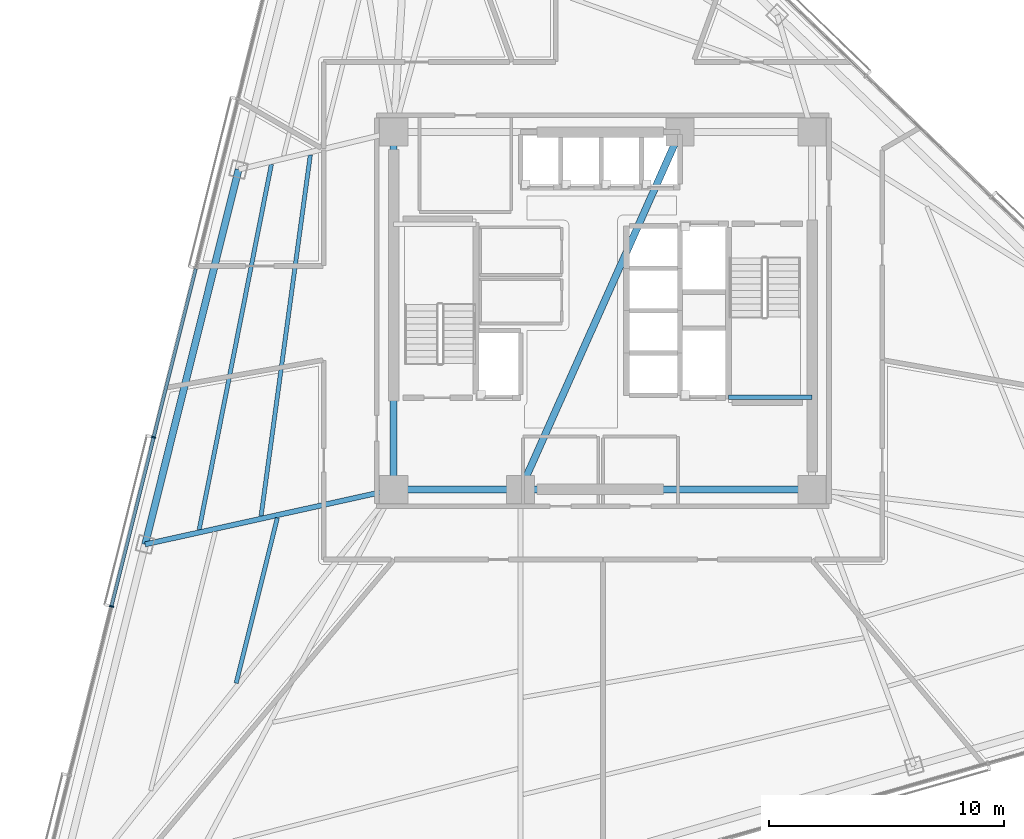
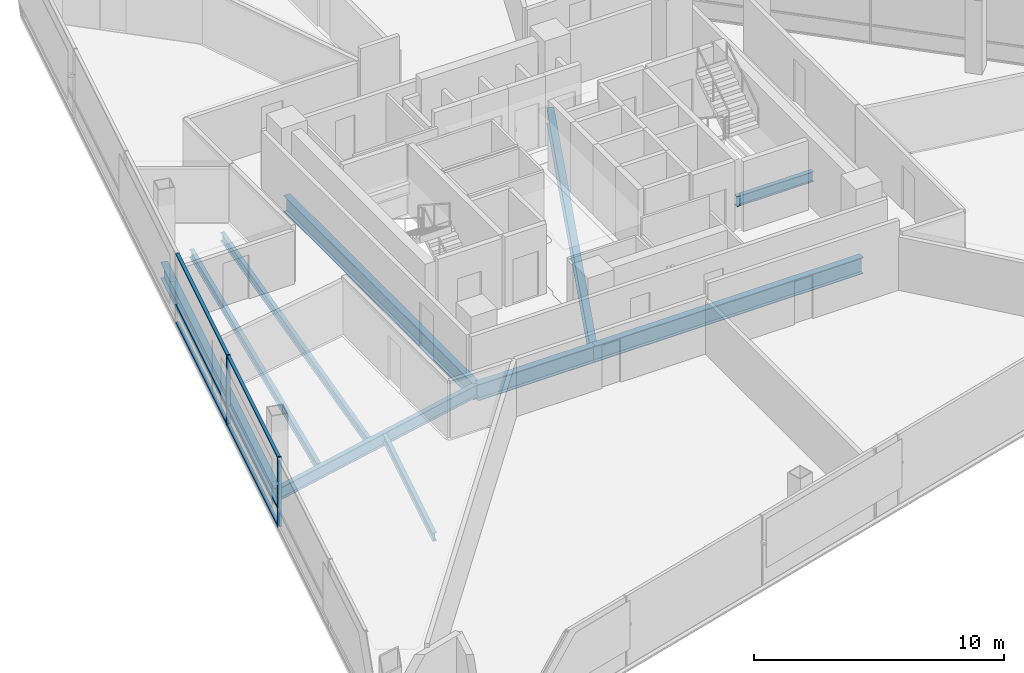
# One storey, part 4 of 19: 10 beams, 8 members, 1 element without a shape of its own.
"""IFC4 building model written with IfcOpenShell, lengths in metres."""

from ifc_helpers import new_model, si_unit, direction, frame, origin, origin_2d, place, context, subcontext, project, spatial, rectangle, i_section, extrude, material, layer, layer_set, material_profile, profile_set, type_object, element, aggregate, save


model = new_model("IFC4")

# Units and contexts
model_context = context("Model", 3, precision=1e-05, world=origin(), true_north=direction((0.0, 1.0)))
body_context = subcontext(model_context, "Body", "Model", "MODEL_VIEW")
ifc_project = project(units=[si_unit("LENGTHUNIT", "METRE"), si_unit("AREAUNIT", "SQUARE_METRE"), si_unit("VOLUMEUNIT", "CUBIC_METRE"), si_unit("PLANEANGLEUNIT", "RADIAN"), si_unit("MASSUNIT", "GRAM", prefix="KILO")], contexts=[model_context])

# Site, building, storey
site_placement = place(None, origin())
site = spatial("IfcSite", under=ifc_project, at=site_placement, CompositionType="ELEMENT")
building_placement = place(site_placement, origin())
building = spatial("IfcBuilding", under=site, at=building_placement, Name="Tharavind Bronze Gate", CompositionType="ELEMENT")
storey_placement = place(building_placement, frame((0.0, 0.0, 89.699951171875)))
storey = spatial("IfcBuildingStorey", under=building, at=storey_placement, Name="L22", CompositionType="ELEMENT", Elevation=89.699951171875)

# Curtain wall, members
ifc_material_1 = material(Name="Anodised Bronze Aluminium", Category="aluminium")
ifc_layer = layer(ifc_material_1, 0.219970703125)
ifc_layer_set = layer_set([ifc_layer], Name="Anodised Bronze Aluminium")
curtain_wall_type = type_object("IfcCurtainWallType", Name="UNITISED CURTAIN WALL LOWER OFFICE", PredefinedType="USERDEFINED", material=ifc_layer_set)
curtain_wall_placement = place(storey_placement, origin())
curtain_wall = element("IfcCurtainWall", 1, at=curtain_wall_placement, inside=storey, type_object=curtain_wall_type, Name="L22 unitised curtain wall lower office CW-L22-S1", ObjectType="UNITISED CURTAIN WALL", PredefinedType="USERDEFINED")
member_type_1 = type_object("IfcMemberType", Name="CURTAIN WALL BRONZE MULLION 65X180", PredefinedType="MULLION", material=ifc_material_1)
member_1_placement = place(storey_placement, frame((-19.1083984375, -5.381591796875, 0.0), z_axis=(0.0, 0.0, 1.0), x_axis=(-0.2419218956, -0.970295726276, 0.0)))
member_1 = element("IfcMember", 2, at=member_1_placement, type_object=member_type_1, Name="CW-L22-S1 mullion 5", PredefinedType="MULLION", context=body_context, shape_type="SweptSolid", body=[
    extrude(rectangle(XDim=0.06494140625, YDim=0.179931640625, at=origin_2d()), origin(), (0.0, 0.0, 1.0), 3.409912109375),
])
member_2_placement = place(storey_placement, frame((-20.902099609375, -12.57568359375, 0.0), z_axis=(0.0, 0.0, 1.0), x_axis=(-0.2419218956, -0.970295726276, 0.0)))
member_2 = element("IfcMember", 3, at=member_2_placement, type_object=member_type_1, Name="CW-L22-S1 mullion 6", PredefinedType="MULLION", context=body_context, shape_type="SweptSolid", body=[
    extrude(rectangle(XDim=0.06494140625, YDim=0.179931640625, at=origin_2d()), origin(), (0.0, 0.0, 1.0), 3.409912109375),
])
member_type_2 = type_object("IfcMemberType", Name="CURTAIN WALL BRONZE TRANSOM 65X140", PredefinedType="USERDEFINED", material=ifc_material_1)
member_3_placement = place(storey_placement, frame((-18.21142578125, -1.78466796875, 0.0), z_axis=(0.0, 0.0, 1.0), x_axis=(-0.2419218956, -0.970295726276, 0.0)))
member_3 = element("IfcMember", 4, at=member_3_placement, type_object=member_type_2, Name="CW-L22-S1 transom TB4", ObjectType="TRANSOM", PredefinedType="USERDEFINED", context=body_context, shape_type="SweptSolid", body=[
    extrude(rectangle(XDim=7.361083984375, YDim=0.139892578125, at=origin_2d()), origin(), (0.0, 0.0, 1.0), 0.06494140625),
])
member_4_placement = place(storey_placement, frame((-18.21142578125, -1.78466796875, 0.86767578125), z_axis=(0.0, 0.0, 1.0), x_axis=(-0.2419218956, -0.970295726276, 0.0)))
member_4 = element("IfcMember", 5, at=member_4_placement, type_object=member_type_2, Name="CW-L22-S1 transom TS4", ObjectType="TRANSOM", PredefinedType="USERDEFINED", context=body_context, shape_type="SweptSolid", body=[
    extrude(rectangle(XDim=7.361083984375, YDim=0.139892578125, at=origin_2d()), origin(), (0.0, 0.0, 1.0), 0.06494140625),
])
member_5_placement = place(storey_placement, frame((-18.21142578125, -1.78466796875, 3.344970703125), z_axis=(0.0, 0.0, 1.0), x_axis=(-0.2419218956, -0.970295726276, 0.0)))
member_5 = element("IfcMember", 6, at=member_5_placement, type_object=member_type_2, Name="CW-L22-S1 transom TT4", ObjectType="TRANSOM", PredefinedType="USERDEFINED", context=body_context, shape_type="SweptSolid", body=[
    extrude(rectangle(XDim=7.361083984375, YDim=0.139892578125, at=origin_2d()), origin(), (0.0, 0.0, 1.0), 0.06494140625),
])
member_6_placement = place(storey_placement, frame((-20.005126953125, -8.978759765625, 0.0), z_axis=(0.0, 0.0, 1.0), x_axis=(-0.2419218956, -0.970295726276, 0.0)))
member_6 = element("IfcMember", 7, at=member_6_placement, type_object=member_type_2, Name="CW-L22-S1 transom TB5", ObjectType="TRANSOM", PredefinedType="USERDEFINED", context=body_context, shape_type="SweptSolid", body=[
    extrude(rectangle(XDim=7.361083984375, YDim=0.139892578125, at=origin_2d()), origin(), (0.0, 0.0, 1.0), 0.06494140625),
])
member_7_placement = place(storey_placement, frame((-20.005126953125, -8.978759765625, 0.86767578125), z_axis=(0.0, 0.0, 1.0), x_axis=(-0.2419218956, -0.970295726276, 0.0)))
member_7 = element("IfcMember", 8, at=member_7_placement, type_object=member_type_2, Name="CW-L22-S1 transom TS5", ObjectType="TRANSOM", PredefinedType="USERDEFINED", context=body_context, shape_type="SweptSolid", body=[
    extrude(rectangle(XDim=7.361083984375, YDim=0.139892578125, at=origin_2d()), origin(), (0.0, 0.0, 1.0), 0.06494140625),
])
member_8_placement = place(storey_placement, frame((-20.005126953125, -8.978759765625, 3.344970703125), z_axis=(0.0, 0.0, 1.0), x_axis=(-0.2419218956, -0.970295726276, 0.0)))
member_8 = element("IfcMember", 9, at=member_8_placement, type_object=member_type_2, Name="CW-L22-S1 transom TT5", ObjectType="TRANSOM", PredefinedType="USERDEFINED", context=body_context, shape_type="SweptSolid", body=[
    extrude(rectangle(XDim=7.361083984375, YDim=0.139892578125, at=origin_2d()), origin(), (0.0, 0.0, 1.0), 0.06494140625),
])
aggregate(curtain_wall, [member_1, member_2, member_3, member_4, member_5, member_6, member_7, member_8])

# Beams
ifc_material_2 = material(Name="Steel S355", Category="steel")
ifc_material_profile_1 = material_profile(ifc_material_2, i_section(OverallWidth=0.199951171875, OverallDepth=0.5, WebThickness=0.01025390625, FlangeThickness=0.01611328125, at=origin_2d()), Name="IPE500")
ifc_profile_set_1 = profile_set([ifc_material_profile_1], Name="Steel S355")
beam_type_1 = type_object("IfcBeamType", Name="PRIMARY GIRDER IPE500", PredefinedType="USERDEFINED", material=ifc_profile_set_1)
beam_1_placement = place(storey_placement, frame((5.35009765625, -3.679931640625, 1.35009765625), z_axis=(1.0, 0.0, 0.0), x_axis=(0.0, 1.0, 0.0)))
element("IfcBeam", 10, at=beam_1_placement, inside=storey, type_object=beam_type_1, Name="L22 primary girder ipe500 BM-LD-ST2-L22-1", ObjectType="GIRDER", PredefinedType="USERDEFINED", context=body_context, shape_type="SweptSolid", body=[
    extrude(i_section(OverallWidth=0.199951171875, OverallDepth=0.5, WebThickness=0.01025390625, FlangeThickness=0.01611328125, at=origin_2d()), origin(), (0.0, 0.0, 1.0), 3.5498046875),
])
ifc_material_profile_2 = material_profile(ifc_material_2, i_section(OverallWidth=0.219970703125, OverallDepth=0.60009765625, WebThickness=0.011962890625, FlangeThickness=0.01904296875, at=origin_2d()), Name="IPE600")
ifc_profile_set_2 = profile_set([ifc_material_profile_2], Name="Steel S355")
beam_type_2 = type_object("IfcBeamType", Name="PRIMARY GIRDER IPE600", PredefinedType="USERDEFINED", material=ifc_profile_set_2)
beam_2_placement = place(storey_placement, frame((-19.4716796875, -9.93896484375, -0.489990234375), z_axis=(0.97639036101, 0.216013571162, 0.0), x_axis=(-0.216013571162, 0.97639036101, 0.0)))
element("IfcBeam", 11, at=beam_2_placement, inside=storey, type_object=beam_type_2, Name="L22 primary girder ipe600 BM-L22-RAD03", ObjectType="GIRDER", PredefinedType="USERDEFINED", context=body_context, shape_type="SweptSolid", body=[
    extrude(i_section(OverallWidth=0.219970703125, OverallDepth=0.60009765625, WebThickness=0.011962890625, FlangeThickness=0.01904296875, at=origin_2d()), origin(), (0.0, 0.0, 1.0), 10.827392578125),
])
ifc_material_profile_3 = material_profile(ifc_material_2, i_section(OverallWidth=0.300048828125, OverallDepth=0.800048828125, WebThickness=0.017578125, FlangeThickness=0.032958984375, at=origin_2d()), Name="HE800B")
ifc_profile_set_3 = profile_set([ifc_material_profile_3], Name="Steel S355")
beam_type_3 = type_object("IfcBeamType", Name="RING GIRDER HE800B", PredefinedType="USERDEFINED", material=ifc_profile_set_3)
beam_3_placement = place(storey_placement, frame((-8.89990234375, -7.60009765625, -0.58984375), z_axis=(1.0, 0.0, 0.0), x_axis=(0.0, 1.0, 0.0)))
element("IfcBeam", 12, at=beam_3_placement, inside=storey, type_object=beam_type_3, Name="L22 ring girder he800b BM-L22-CR1", ObjectType="GIRDER", PredefinedType="USERDEFINED", context=body_context, shape_type="SweptSolid", body=[
    extrude(i_section(OverallWidth=0.300048828125, OverallDepth=0.800048828125, WebThickness=0.017578125, FlangeThickness=0.032958984375, at=origin_2d()), origin(), (0.0, 0.0, 1.0), 5.39990234375),
])
beam_4_placement = place(storey_placement, frame((-3.5, -7.60009765625, -0.58984375), z_axis=(1.0, 0.0, 0.0), x_axis=(0.0, 1.0, 0.0)))
element("IfcBeam", 13, at=beam_4_placement, inside=storey, type_object=beam_type_3, Name="L22 ring girder he800b BM-L22-CR2", ObjectType="GIRDER", PredefinedType="USERDEFINED", context=body_context, shape_type="SweptSolid", body=[
    extrude(i_section(OverallWidth=0.300048828125, OverallDepth=0.800048828125, WebThickness=0.017578125, FlangeThickness=0.032958984375, at=origin_2d()), origin(), (0.0, 0.0, 1.0), 12.39990234375),
])
beam_5_placement = place(storey_placement, frame((-8.89990234375, 7.60009765625, -0.58984375), z_axis=(0.0, -1.0, 0.0), x_axis=(1.0, 0.0, 0.0)))
element("IfcBeam", 14, at=beam_5_placement, inside=storey, type_object=beam_type_3, Name="L22 ring girder he800b BM-L22-CR6", ObjectType="GIRDER", PredefinedType="USERDEFINED", context=body_context, shape_type="SweptSolid", body=[
    extrude(i_section(OverallWidth=0.300048828125, OverallDepth=0.800048828125, WebThickness=0.017578125, FlangeThickness=0.032958984375, at=origin_2d()), origin(), (0.0, 0.0, 1.0), 15.2001953125),
])
beam_6_placement = place(storey_placement, frame((-3.5, -7.60009765625, -0.58984375), z_axis=(0.407361644566, 0.913266932795, 0.0), x_axis=(-0.913266932795, 0.407361644566, 0.0)))
element("IfcBeam", 15, at=beam_6_placement, inside=storey, type_object=beam_type_3, Name="L22 ring girder he800b BM-L22-CR7", ObjectType="GIRDER", PredefinedType="USERDEFINED", context=body_context, shape_type="SweptSolid", body=[
    extrude(i_section(OverallWidth=0.300048828125, OverallDepth=0.800048828125, WebThickness=0.017578125, FlangeThickness=0.032958984375, at=origin_2d()), origin(), (0.0, 0.0, 1.0), 16.643798828125),
])
beam_7_placement = place(storey_placement, frame((-15.495849609375, 6.006591796875, -0.58984375), z_axis=(-0.241930849107, -0.970293493872, 0.0), x_axis=(0.970293493872, -0.241930849107, 0.0)))
element("IfcBeam", 16, at=beam_7_placement, inside=storey, type_object=beam_type_3, Name="L22 ring girder he800b BM-L22-PRG02", ObjectType="GIRDER", PredefinedType="USERDEFINED", context=body_context, shape_type="SweptSolid", body=[
    extrude(i_section(OverallWidth=0.300048828125, OverallDepth=0.800048828125, WebThickness=0.017578125, FlangeThickness=0.032958984375, at=origin_2d()), origin(), (0.0, 0.0, 1.0), 16.433837890625),
])
ifc_material_profile_4 = material_profile(ifc_material_2, i_section(OverallWidth=0.179931640625, OverallDepth=0.39990234375, WebThickness=0.008544921875, FlangeThickness=0.013427734375, at=origin_2d()), Name="IPE400")
ifc_profile_set_4 = profile_set([ifc_material_profile_4], Name="Steel S355")
beam_type_4 = type_object("IfcBeamType", Name="SECONDARY FLOOR JOIST IPE400", PredefinedType="JOIST", material=ifc_profile_set_4)
beam_8_placement = place(storey_placement, frame((-12.4453125, 6.626708984375, -0.389892578125), z_axis=(-0.135096335488, -0.99083246825, 0.0), x_axis=(0.99083246825, -0.135096335488, 0.0)))
element("IfcBeam", 17, at=beam_8_placement, inside=storey, type_object=beam_type_4, Name="L22 secondary floor joist ipe400 BM-L22-JSTA02", PredefinedType="JOIST", context=body_context, shape_type="SweptSolid", body=[
    extrude(i_section(OverallWidth=0.179931640625, OverallDepth=0.39990234375, WebThickness=0.008544921875, FlangeThickness=0.013427734375, at=origin_2d()), origin(), (0.0, 0.0, 1.0), 15.5),
])
beam_9_placement = place(storey_placement, frame((-14.10205078125, 6.2265625, -0.389892578125), z_axis=(-0.193949205751, -0.981011572607, 0.0), x_axis=(0.981011572607, -0.193949205751, 0.0)))
element("IfcBeam", 18, at=beam_9_placement, inside=storey, type_object=beam_type_4, Name="L22 secondary floor joist ipe400 BM-L22-JSTB02", PredefinedType="JOIST", context=body_context, shape_type="SweptSolid", body=[
    extrude(i_section(OverallWidth=0.179931640625, OverallDepth=0.39990234375, WebThickness=0.008544921875, FlangeThickness=0.013427734375, at=origin_2d()), origin(), (0.0, 0.0, 1.0), 15.841796875),
])
beam_10_placement = place(storey_placement, frame((-13.846435546875, -8.810791015625, -0.389892578125), z_axis=(-0.241933025088, -0.970292951315, 0.0), x_axis=(0.970292951315, -0.241933025088, 0.0)))
element("IfcBeam", 19, at=beam_10_placement, inside=storey, type_object=beam_type_4, Name="L22 secondary floor joist ipe400 BM-L22-JSTA03", PredefinedType="JOIST", context=body_context, shape_type="SweptSolid", body=[
    extrude(i_section(OverallWidth=0.179931640625, OverallDepth=0.39990234375, WebThickness=0.008544921875, FlangeThickness=0.013427734375, at=origin_2d()), origin(), (0.0, 0.0, 1.0), 7.24560546875),
])

save(model, "model.ifc")
